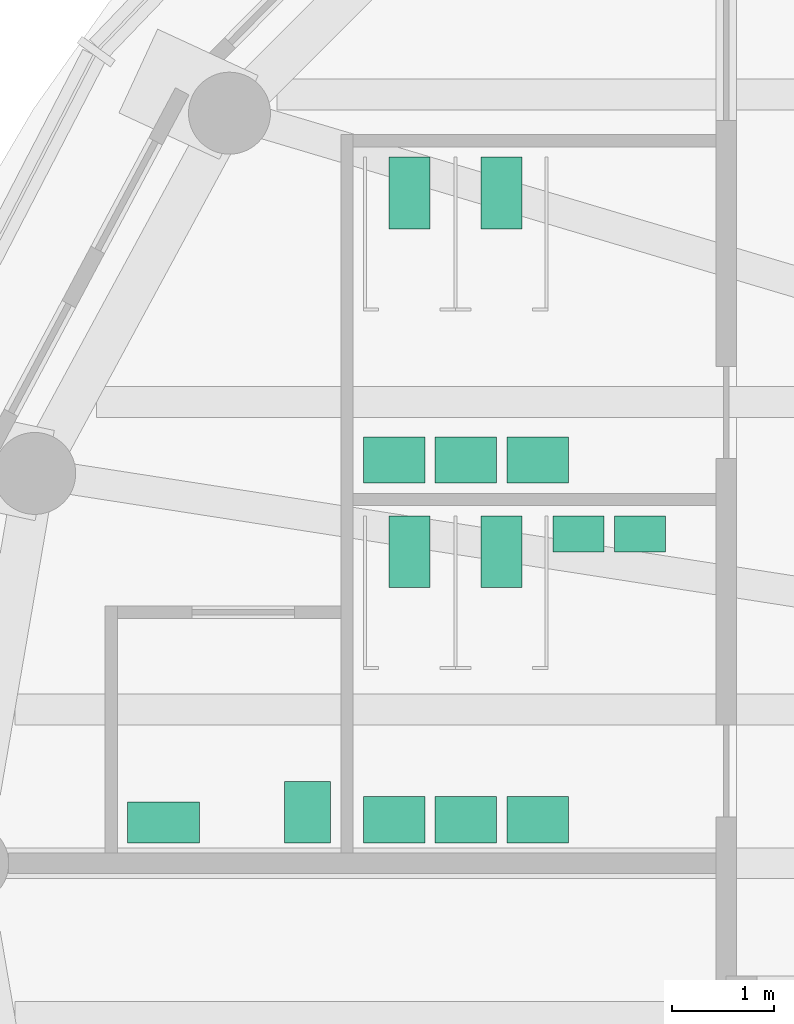
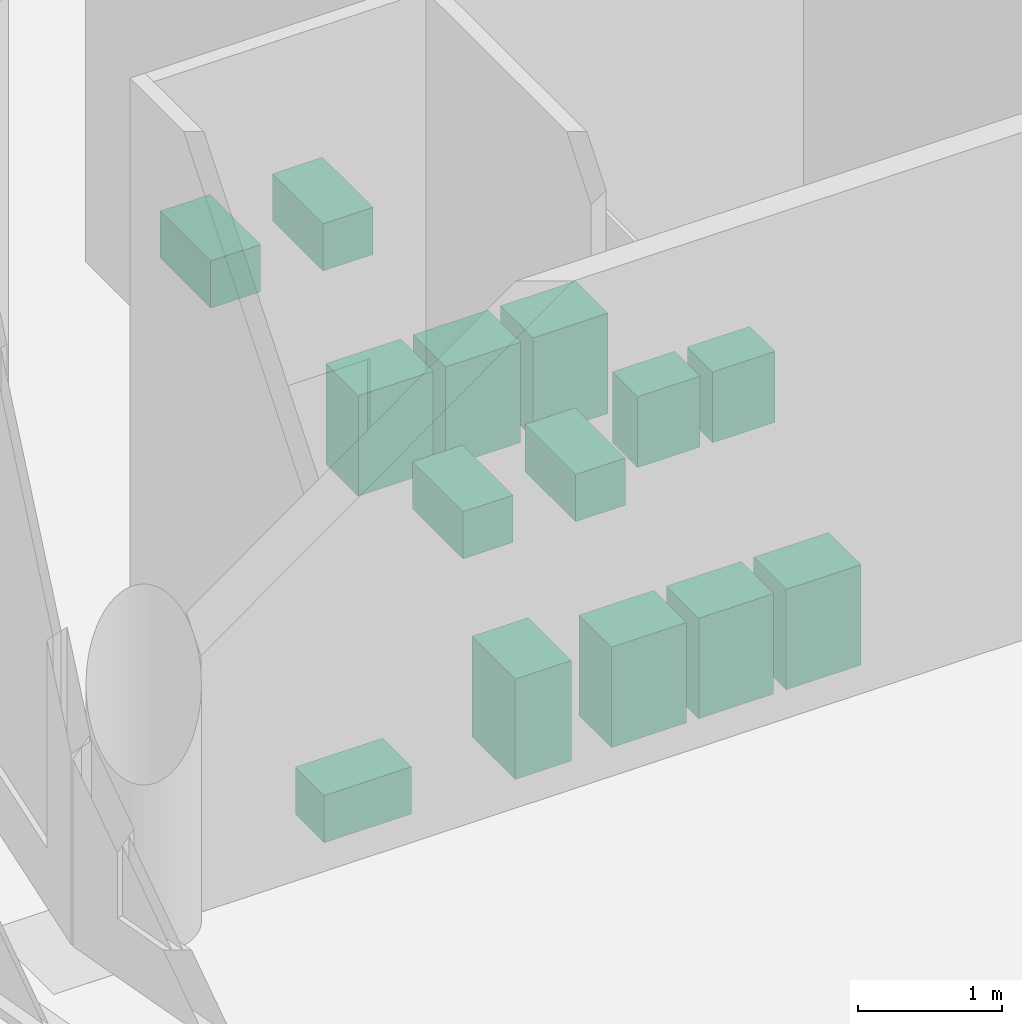
# One storey, part 10 of 11: 14 sanitary terminals.
"""IFC4 building model written with IfcOpenShell, lengths in metres."""

from ifc_helpers import new_model, si_unit, direction, frame, origin, origin_2d, place, context, subcontext, project, spatial, rectangle, extrude, element, save


model = new_model("IFC4")

# Units and contexts
model_context = context("Model", 3, precision=1e-05, world=origin(), true_north=direction((0.0, 1.0)))
body_context = subcontext(model_context, "Body", "Model", "MODEL_VIEW")
ifc_project = project(units=[si_unit("LENGTHUNIT", "METRE"), si_unit("AREAUNIT", "SQUARE_METRE"), si_unit("VOLUMEUNIT", "CUBIC_METRE"), si_unit("PLANEANGLEUNIT", "RADIAN"), si_unit("MASSUNIT", "GRAM", prefix="KILO")], contexts=[model_context])

# Site, building, storey
site_placement = place(None, origin())
site = spatial("IfcSite", under=ifc_project, at=site_placement, CompositionType="ELEMENT")
building_placement = place(site_placement, origin())
building = spatial("IfcBuilding", under=site, at=building_placement, Name="Hankou Lantern Tower", CompositionType="ELEMENT")
storey_placement = place(building_placement, frame((0.0, 0.0, 237.300048828125)))
storey = spatial("IfcBuildingStorey", under=building, at=storey_placement, Name="L64", CompositionType="ELEMENT", Elevation=237.300048828125)

# Sanitary terminals
for number, where, z_axis, x_axis, name in (
    (1, (-14.090087890625, 3.0400390625, 0.0), (0.0, 0.0, 1.0), (1.0, 0.0, 0.0), "Male WC WC pan 1"),
    (2, (-13.18994140625, 3.0400390625, 0.0), (0.0, 0.0, 1.0), (1.0, 0.0, 0.0), "Male WC WC pan 2"),
):
    element("IfcSanitaryTerminal", number, at=place(storey_placement, frame(where, z_axis=z_axis, x_axis=x_axis)), inside=storey, Name=name, PredefinedType="TOILETPAN", context=body_context, shape_type="SweptSolid", body=[
        extrude(rectangle(XDim=0.39990234375, YDim=0.699951171875, at=origin_2d()), origin(), (0.0, 0.0, 1.0), 0.39990234375),
    ])
for number, where, z_axis, x_axis, name in (
    (3, (-12.43994140625, 3.215087890625, 0.0), (0.0, 0.0, 1.0), (1.0, 0.0, 0.0), "Male WC urinal 1"),
    (4, (-11.840087890625, 3.215087890625, 0.0), (0.0, 0.0, 1.0), (1.0, 0.0, 0.0), "Male WC urinal 2"),
):
    element("IfcSanitaryTerminal", number, at=place(storey_placement, frame(where, z_axis=z_axis, x_axis=x_axis)), inside=storey, Name=name, PredefinedType="URINAL", context=body_context, shape_type="SweptSolid", body=[
        extrude(rectangle(XDim=0.5, YDim=0.35009765625, at=origin_2d()), origin(), (0.0, 0.0, 1.0), 0.60009765625),
    ])
for number, where, z_axis, x_axis, name in (
    (5, (-14.239990234375, 0.425048828125, 0.0), (0.0, 0.0, 1.0), (1.0, 0.0, 0.0), "Male WC wash basin 1"),
    (6, (-13.5400390625, 0.425048828125, 0.0), (0.0, 0.0, 1.0), (1.0, 0.0, 0.0), "Male WC wash basin 2"),
    (7, (-12.840087890625, 0.425048828125, 0.0), (0.0, 0.0, 1.0), (1.0, 0.0, 0.0), "Male WC wash basin 3"),
):
    element("IfcSanitaryTerminal", number, at=place(storey_placement, frame(where, z_axis=z_axis, x_axis=x_axis)), inside=storey, Name=name, PredefinedType="WASHHANDBASIN", context=body_context, shape_type="SweptSolid", body=[
        extrude(rectangle(XDim=0.60009765625, YDim=0.449951171875, at=origin_2d()), origin(), (0.0, 0.0, 1.0), 0.85009765625),
    ])
for number, where, z_axis, x_axis, name in (
    (8, (-14.090087890625, 6.5400390625, 0.0), (0.0, 0.0, 1.0), (1.0, 0.0, 0.0), "Female WC WC pan 1"),
    (9, (-13.18994140625, 6.5400390625, 0.0), (0.0, 0.0, 1.0), (1.0, 0.0, 0.0), "Female WC WC pan 2"),
):
    element("IfcSanitaryTerminal", number, at=place(storey_placement, frame(where, z_axis=z_axis, x_axis=x_axis)), inside=storey, Name=name, PredefinedType="TOILETPAN", context=body_context, shape_type="SweptSolid", body=[
        extrude(rectangle(XDim=0.39990234375, YDim=0.699951171875, at=origin_2d()), origin(), (0.0, 0.0, 1.0), 0.39990234375),
    ])
for number, where, z_axis, x_axis, name in (
    (10, (-14.239990234375, 3.93505859375, 0.0), (0.0, 0.0, 1.0), (1.0, 0.0, 0.0), "Female WC wash basin 1"),
    (11, (-13.5400390625, 3.93505859375, 0.0), (0.0, 0.0, 1.0), (1.0, 0.0, 0.0), "Female WC wash basin 2"),
    (12, (-12.840087890625, 3.93505859375, 0.0), (0.0, 0.0, 1.0), (1.0, 0.0, 0.0), "Female WC wash basin 3"),
):
    element("IfcSanitaryTerminal", number, at=place(storey_placement, frame(where, z_axis=z_axis, x_axis=x_axis)), inside=storey, Name=name, PredefinedType="WASHHANDBASIN", context=body_context, shape_type="SweptSolid", body=[
        extrude(rectangle(XDim=0.60009765625, YDim=0.449951171875, at=origin_2d()), origin(), (0.0, 0.0, 1.0), 0.85009765625),
    ])
sanitary_terminal_1_placement = place(storey_placement, frame((-16.489990234375, 0.39990234375, 0.0), z_axis=(0.0, 0.0, 1.0), x_axis=(0.0, 1.0, 0.0)))
element("IfcSanitaryTerminal", 13, at=sanitary_terminal_1_placement, inside=storey, Name="Accessible WC WC pan 1", PredefinedType="TOILETPAN", context=body_context, shape_type="SweptSolid", body=[
    extrude(rectangle(XDim=0.39990234375, YDim=0.699951171875, at=origin_2d()), origin(), (0.0, 0.0, 1.0), 0.39990234375),
])
sanitary_terminal_2_placement = place(storey_placement, frame((-15.0849609375, 0.5, 0.0), z_axis=(0.0, 0.0, 1.0), x_axis=(0.0, 1.0, 0.0)))
element("IfcSanitaryTerminal", 14, at=sanitary_terminal_2_placement, inside=storey, Name="Accessible WC wash basin 1", PredefinedType="WASHHANDBASIN", context=body_context, shape_type="SweptSolid", body=[
    extrude(rectangle(XDim=0.60009765625, YDim=0.449951171875, at=origin_2d()), origin(), (0.0, 0.0, 1.0), 0.85009765625),
])

save(model, "model.ifc")
